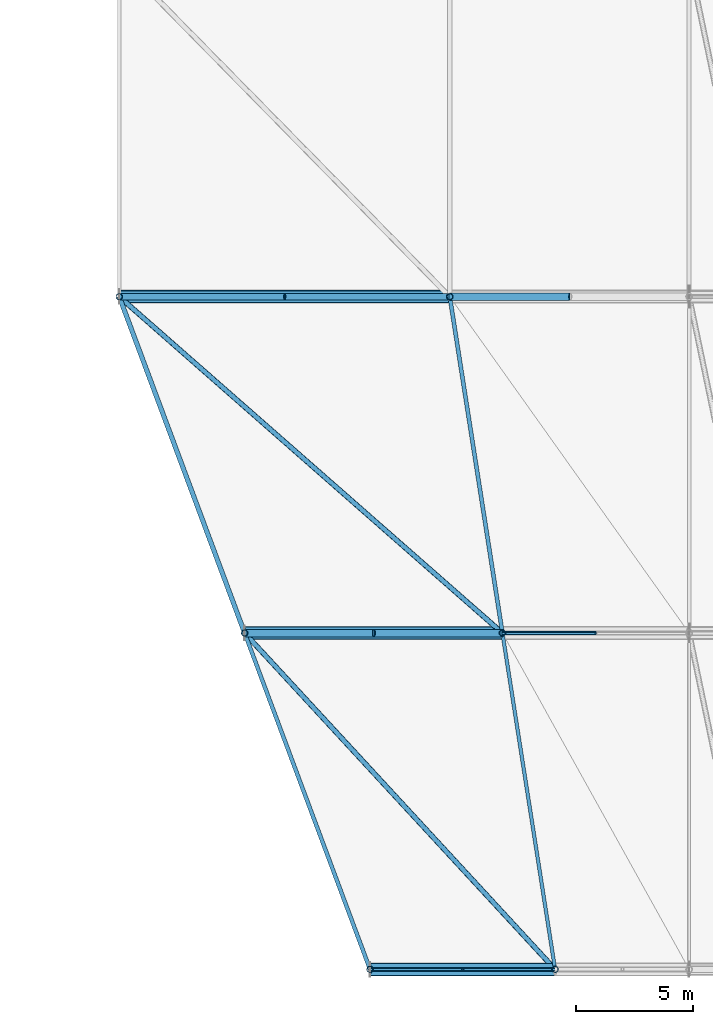
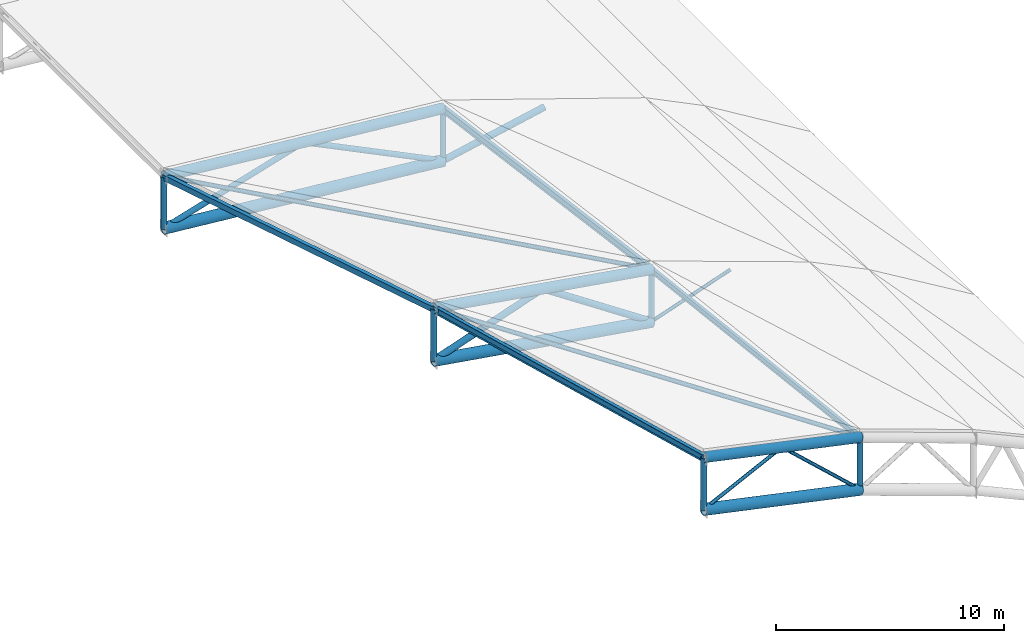
# One storey, part 15 of 36: 26 members.
"""IFC4 building model written with IfcOpenShell, lengths in metres."""

from ifc_helpers import new_model, si_unit, direction, frame, origin, origin_2d, place, context, subcontext, project, spatial, hollow_rectangle, hollow_circle, i_section, extrude, material, material_profile, profile_set, type_object, element, save


model = new_model("IFC4")

# Units and contexts
model_context = context("Model", 3, precision=1e-05, world=origin(), true_north=direction((0.0, 1.0)))
body_context = subcontext(model_context, "Body", "Model", "MODEL_VIEW")
ifc_project = project(units=[si_unit("LENGTHUNIT", "METRE"), si_unit("AREAUNIT", "SQUARE_METRE"), si_unit("VOLUMEUNIT", "CUBIC_METRE"), si_unit("PLANEANGLEUNIT", "RADIAN"), si_unit("MASSUNIT", "GRAM", prefix="KILO")], contexts=[model_context])

# Site, building, storey
site_placement = place(None, origin())
site = spatial("IfcSite", under=ifc_project, at=site_placement, CompositionType="ELEMENT")
building_placement = place(site_placement, origin())
building = spatial("IfcBuilding", under=site, at=building_placement, Name="Koshinbarg Plaza Stadium", CompositionType="ELEMENT")
storey_placement = place(building_placement, frame((0.0, 0.0, 34.199951171875)))
storey = spatial("IfcBuildingStorey", under=building, at=storey_placement, Name="RF", CompositionType="ELEMENT", Elevation=34.199951171875)

# Members
ifc_material = material(Name="Steel S355", Category="steel")
ifc_material_profile_1 = material_profile(ifc_material, hollow_circle(Radius=0.279541015625, WallThickness=0.022216796875, at=origin_2d()), Name="CHS 559x22.2")
ifc_profile_set_1 = profile_set([ifc_material_profile_1], Name="Steel S355")
member_type_1 = type_object("IfcMemberType", Name="MB-ARCH-BOT", PredefinedType="CHORD", material=ifc_profile_set_1)
member_1_placement = place(storey_placement, frame((183.6611328125, 25.5, 1.691650390625), z_axis=(-0.977875975402, 0.0, 0.209185507939), x_axis=(0.0, -1.0, 0.0)))
element("IfcMember", 1, at=member_1_placement, inside=storey, type_object=member_type_1, Name="Quarter-barrel roof truss bottom chord ERB-01-4", PredefinedType="CHORD", context=body_context, shape_type="SweptSolid", body=[
    extrude(hollow_circle(Radius=0.279541015625, WallThickness=0.022216796875, at=origin_2d()), origin(), (0.0, 0.0, 1.0), 8.104248046875),
])
member_2_placement = place(storey_placement, frame((181.406494140625, 39.89990234375, 2.7421875), z_axis=(-0.987287695583, 0.0, 0.158943405497), x_axis=(0.0, -1.0, 0.0)))
element("IfcMember", 2, at=member_2_placement, inside=storey, type_object=member_type_1, Name="Quarter-barrel roof truss bottom chord ERB-02-4", PredefinedType="CHORD", context=body_context, shape_type="SweptSolid", body=[
    extrude(hollow_circle(Radius=0.279541015625, WallThickness=0.022216796875, at=origin_2d()), origin(), (0.0, 0.0, 1.0), 11.1806640625),
])
member_3_placement = place(storey_placement, frame((179.152099609375, 54.300048828125, 3.4208984375), z_axis=(-0.995642851387, 0.0, 0.093248659413), x_axis=(0.0, -1.0, 0.0)))
element("IfcMember", 3, at=member_3_placement, inside=storey, type_object=member_type_1, Name="Quarter-barrel roof truss bottom chord ERB-03-4", PredefinedType="CHORD", context=body_context, shape_type="SweptSolid", body=[
    extrude(hollow_circle(Radius=0.279541015625, WallThickness=0.022216796875, at=origin_2d()), origin(), (0.0, 0.0, 1.0), 14.214111328125),
])
ifc_material_profile_2 = material_profile(ifc_material, hollow_circle(Radius=0.25390625, WallThickness=0.02001953125, at=origin_2d()), Name="CHS 508x20")
ifc_profile_set_2 = profile_set([ifc_material_profile_2], Name="Steel S355")
member_type_2 = type_object("IfcMemberType", Name="MB-ARCH-TOP", PredefinedType="CHORD", material=ifc_profile_set_2)
member_4_placement = place(storey_placement, frame((183.6611328125, 25.5, 4.49169921875), z_axis=(-0.977875975402, 0.0, 0.209185507939), x_axis=(0.0, -1.0, 0.0)))
element("IfcMember", 4, at=member_4_placement, inside=storey, type_object=member_type_2, Name="Quarter-barrel roof truss top chord ERB-01-4", PredefinedType="CHORD", context=body_context, shape_type="SweptSolid", body=[
    extrude(hollow_circle(Radius=0.25390625, WallThickness=0.02001953125, at=origin_2d()), origin(), (0.0, 0.0, 1.0), 8.104248046875),
])
member_5_placement = place(storey_placement, frame((181.406494140625, 39.89990234375, 5.542236328125), z_axis=(-0.987287695583, 0.0, 0.158943405497), x_axis=(0.0, -1.0, 0.0)))
element("IfcMember", 5, at=member_5_placement, inside=storey, type_object=member_type_2, Name="Quarter-barrel roof truss top chord ERB-02-4", PredefinedType="CHORD", context=body_context, shape_type="SweptSolid", body=[
    extrude(hollow_circle(Radius=0.25390625, WallThickness=0.02001953125, at=origin_2d()), origin(), (0.0, 0.0, 1.0), 11.1806640625),
])
member_6_placement = place(storey_placement, frame((179.152099609375, 54.300048828125, 6.220947265625), z_axis=(-0.995642851387, 0.0, 0.093248659413), x_axis=(0.0, -1.0, 0.0)))
element("IfcMember", 6, at=member_6_placement, inside=storey, type_object=member_type_2, Name="Quarter-barrel roof truss top chord ERB-03-4", PredefinedType="CHORD", context=body_context, shape_type="SweptSolid", body=[
    extrude(hollow_circle(Radius=0.25390625, WallThickness=0.02001953125, at=origin_2d()), origin(), (0.0, 0.0, 1.0), 14.214111328125),
])
ifc_material_profile_3 = material_profile(ifc_material, hollow_circle(Radius=0.161865234375, WallThickness=0.01416015625, at=origin_2d()), Name="CHS 323.9x14.2")
ifc_profile_set_3 = profile_set([ifc_material_profile_3], Name="Steel S355")
member_type_3 = type_object("IfcMemberType", Name="MB-BRACE-01", PredefinedType="BRACE", material=ifc_profile_set_3)
member_7_placement = place(storey_placement, frame((181.406494140625, 39.89990234375, 2.7421875), z_axis=(-0.831427383293, 0.0, 0.555633428), x_axis=(0.0, -1.0, 0.0)))
element("IfcMember", 7, at=member_7_placement, inside=storey, type_object=member_type_3, Name="Quarter-barrel roof truss web diagonal ERB-02-4A", PredefinedType="BRACE", context=body_context, shape_type="SweptSolid", body=[
    extrude(hollow_circle(Radius=0.161865234375, WallThickness=0.01416015625, at=origin_2d()), origin(), (0.0, 0.0, 1.0), 6.638427734375),
])
member_8_placement = place(storey_placement, frame((175.88720703125, 39.89990234375, 6.4306640625), z_axis=(-0.944940842416, 0.0, -0.327241202073), x_axis=(0.0, -1.0, 0.0)))
element("IfcMember", 8, at=member_8_placement, inside=storey, type_object=member_type_3, Name="Quarter-barrel roof truss web diagonal ERB-02-4B", PredefinedType="BRACE", context=body_context, shape_type="SweptSolid", body=[
    extrude(hollow_circle(Radius=0.161865234375, WallThickness=0.01416015625, at=origin_2d()), origin(), (0.0, 0.0, 1.0), 5.8408203125),
])
member_9_placement = place(storey_placement, frame((184.27587890625, 54.300048828125, 4.490478515625), z_axis=(-0.978899240734, 0.0, -0.20434352569), x_axis=(0.0, -1.0, 0.0)))
element("IfcMember", 9, at=member_9_placement, inside=storey, type_object=member_type_3, Name="Quarter-barrel roof truss web diagonal ERB-03-3B", PredefinedType="BRACE", context=body_context, shape_type="SweptSolid", body=[
    extrude(hollow_circle(Radius=0.161865234375, WallThickness=0.01416015625, at=origin_2d()), origin(), (0.0, 0.0, 1.0), 5.234130859375),
])
ifc_material_profile_4 = material_profile(ifc_material, hollow_circle(Radius=0.136474609375, WallThickness=0.012451171875, at=origin_2d()), Name="CHS 273x12.5")
ifc_profile_set_4 = profile_set([ifc_material_profile_4], Name="Steel S355")
member_type_4 = type_object("IfcMemberType", Name="MB-BRACE-02", PredefinedType="BRACE", material=ifc_profile_set_4)
for number, where, z_axis, x_axis, name in (
    (10, (183.6611328125, 25.5, 1.691650390625), (0.0, 0.0, 1.0), (1.0, 0.0, 0.0), "Quarter-barrel roof truss post ERB-01-4"),
    (11, (175.736083984375, 25.5, 3.386962890625), (0.0, 0.0, 1.0), (1.0, 0.0, 0.0), "Quarter-barrel roof truss post ERB-01-5"),
    (12, (181.406494140625, 39.89990234375, 2.7421875), (0.0, 0.0, 1.0), (1.0, 0.0, 0.0), "Quarter-barrel roof truss post ERB-02-4"),
    (13, (170.367919921875, 39.89990234375, 4.519287109375), (0.0, 0.0, 1.0), (1.0, 0.0, 0.0), "Quarter-barrel roof truss post ERB-02-5"),
):
    element("IfcMember", number, at=place(storey_placement, frame(where, z_axis=z_axis, x_axis=x_axis)), inside=storey, type_object=member_type_4, Name=name, PredefinedType="BRACE", context=body_context, shape_type="SweptSolid", body=[
        extrude(hollow_circle(Radius=0.136474609375, WallThickness=0.012451171875, at=origin_2d()), origin(), (0.0, 0.0, 1.0), 2.800048828125),
    ])
member_10_placement = place(storey_placement, frame((179.152099609375, 54.300048828125, 3.4208984375), z_axis=(-0.898224792069, 0.0, 0.439536372685), x_axis=(0.0, -1.0, 0.0)))
element("IfcMember", 14, at=member_10_placement, inside=storey, type_object=member_type_4, Name="Quarter-barrel roof truss web diagonal ERB-03-4A", PredefinedType="BRACE", context=body_context, shape_type="SweptSolid", body=[
    extrude(hollow_circle(Radius=0.136474609375, WallThickness=0.012451171875, at=origin_2d()), origin(), (0.0, 0.0, 1.0), 7.8779296875),
])
member_11_placement = place(storey_placement, frame((172.075927734375, 54.300048828125, 6.883544921875), z_axis=(-0.957287355099, 0.0, -0.289138236433), x_axis=(0.0, -1.0, 0.0)))
element("IfcMember", 15, at=member_11_placement, inside=storey, type_object=member_type_4, Name="Quarter-barrel roof truss web diagonal ERB-03-4B", PredefinedType="BRACE", context=body_context, shape_type="SweptSolid", body=[
    extrude(hollow_circle(Radius=0.136474609375, WallThickness=0.012451171875, at=origin_2d()), origin(), (0.0, 0.0, 1.0), 7.3916015625),
])
for number, where, z_axis, x_axis, name in (
    (16, (179.152099609375, 54.300048828125, 3.4208984375), (0.0, 0.0, 1.0), (1.0, 0.0, 0.0), "Quarter-barrel roof truss post ERB-03-4"),
    (17, (165.0, 54.300048828125, 4.746337890625), (0.0, 0.0, 1.0), (1.0, 0.0, 0.0), "Quarter-barrel roof truss post ERB-03-5"),
):
    element("IfcMember", number, at=place(storey_placement, frame(where, z_axis=z_axis, x_axis=x_axis)), inside=storey, type_object=member_type_4, Name=name, PredefinedType="BRACE", context=body_context, shape_type="SweptSolid", body=[
        extrude(hollow_circle(Radius=0.136474609375, WallThickness=0.012451171875, at=origin_2d()), origin(), (0.0, 0.0, 1.0), 2.800048828125),
    ])
ifc_material_profile_5 = material_profile(ifc_material, hollow_circle(Radius=0.109619140625, WallThickness=0.010009765625, at=origin_2d()), Name="CHS 219.1x10")
ifc_profile_set_5 = profile_set([ifc_material_profile_5], Name="Steel S355")
member_type_5 = type_object("IfcMemberType", Name="MB-BRACE-03", PredefinedType="BRACE", material=ifc_profile_set_5)
member_12_placement = place(storey_placement, frame((183.6611328125, 25.5, 4.49169921875), z_axis=(-0.671355358149, 0.727247180561, 0.142805887309), x_axis=(-0.734778130773, -0.678307525049, 0.0)))
element("IfcMember", 18, at=member_12_placement, inside=storey, type_object=member_type_5, Name="Roof plan wind brace east bay 1.4", PredefinedType="BRACE", context=body_context, shape_type="SweptSolid", body=[
    extrude(hollow_circle(Radius=0.109619140625, WallThickness=0.010009765625, at=origin_2d()), origin(), (0.0, 0.0, 1.0), 19.800537109375),
])
member_13_placement = place(storey_placement, frame((181.406494140625, 39.89990234375, 5.542236328125), z_axis=(-0.748418889634, 0.65689485822, 0.091423798232), x_axis=(-0.659657454031, -0.751566393169, 0.0)))
element("IfcMember", 19, at=member_13_placement, inside=storey, type_object=member_type_5, Name="Roof plan wind brace east bay 2.4", PredefinedType="BRACE", context=body_context, shape_type="SweptSolid", body=[
    extrude(hollow_circle(Radius=0.109619140625, WallThickness=0.010009765625, at=origin_2d()), origin(), (0.0, 0.0, 1.0), 21.921630859375),
])
ifc_material_profile_6 = material_profile(ifc_material, hollow_circle(Radius=0.084228515625, WallThickness=0.008056640625, at=origin_2d()), Name="CHS 168.3x8")
ifc_profile_set_6 = profile_set([ifc_material_profile_6], Name="Steel S355")
member_type_6 = type_object("IfcMemberType", Name="MB-BRACE-04", PredefinedType="BRACE", material=ifc_profile_set_6)
member_14_placement = place(storey_placement, frame((183.6611328125, 25.5, 1.691650390625), z_axis=(-0.735739452383, 0.0, 0.677264688439), x_axis=(0.0, -1.0, 0.0)))
element("IfcMember", 20, at=member_14_placement, inside=storey, type_object=member_type_6, Name="Quarter-barrel roof truss web diagonal ERB-01-4A", PredefinedType="BRACE", context=body_context, shape_type="SweptSolid", body=[
    extrude(hollow_circle(Radius=0.084228515625, WallThickness=0.008056640625, at=origin_2d()), origin(), (0.0, 0.0, 1.0), 5.385986328125),
])
member_15_placement = place(storey_placement, frame((179.698486328125, 25.5, 5.33935546875), z_axis=(-0.897020684397, 0.0, -0.441988565196), x_axis=(0.0, -1.0, 0.0)))
element("IfcMember", 21, at=member_15_placement, inside=storey, type_object=member_type_6, Name="Quarter-barrel roof truss web diagonal ERB-01-4B", PredefinedType="BRACE", context=body_context, shape_type="SweptSolid", body=[
    extrude(hollow_circle(Radius=0.084228515625, WallThickness=0.008056640625, at=origin_2d()), origin(), (0.0, 0.0, 1.0), 4.417236328125),
])
member_16_placement = place(storey_placement, frame((185.4033203125, 39.89990234375, 4.11962890625), z_axis=(-0.945429428908, 0.0, -0.325826940193), x_axis=(0.0, -1.0, 0.0)))
element("IfcMember", 22, at=member_16_placement, inside=storey, type_object=member_type_6, Name="Quarter-barrel roof truss web diagonal ERB-02-3B", PredefinedType="BRACE", context=body_context, shape_type="SweptSolid", body=[
    extrude(hollow_circle(Radius=0.084228515625, WallThickness=0.008056640625, at=origin_2d()), origin(), (0.0, 0.0, 1.0), 4.2275390625),
])
ifc_material_profile_7 = material_profile(ifc_material, hollow_rectangle(XDim=0.199951171875, YDim=0.300048828125, WallThickness=0.012451171875, at=origin_2d()), Name="RHS 300x200x12.5")
ifc_profile_set_7 = profile_set([ifc_material_profile_7], Name="Steel S355")
member_type_7 = type_object("IfcMemberType", Name="MB-PURL-01", PredefinedType="PURLIN", material=ifc_profile_set_7)
member_17_placement = place(storey_placement, frame((170.367919921875, 39.89990234375, 7.29931640625), z_axis=(-0.349251431951, 0.936912594295, 0.014772539761), x_axis=(-0.937014841279, -0.349289546398, 0.0)))
element("IfcMember", 23, at=member_17_placement, inside=storey, type_object=member_type_7, Name="Roof longitudinal purlin east bay 2.5", PredefinedType="PURLIN", context=body_context, shape_type="SweptSolid", body=[
    extrude(hollow_rectangle(XDim=0.199951171875, YDim=0.300048828125, WallThickness=0.012451171875, at=origin_2d()), origin(), (0.0, 0.0, 1.0), 15.369873046875),
])
ifc_material_profile_8 = material_profile(ifc_material, i_section(OverallWidth=0.14990234375, OverallDepth=0.300048828125, WebThickness=0.007080078125, FlangeThickness=0.0107421875, at=origin_2d()), Name="IPE 300")
ifc_profile_set_8 = profile_set([ifc_material_profile_8], Name="Steel S355")
member_type_8 = type_object("IfcMemberType", Name="MB-PURL-04", PredefinedType="PURLIN", material=ifc_profile_set_8)
member_18_placement = place(storey_placement, frame((183.6611328125, 25.5, 4.4716796875), z_axis=(-0.154288320031, 0.985407005097, 0.07188983661), x_axis=(-0.987963282713, -0.154688564577, 0.0)))
element("IfcMember", 24, at=member_18_placement, inside=storey, type_object=member_type_8, Name="Roof longitudinal purlin east bay 1.4", PredefinedType="PURLIN", context=body_context, shape_type="SweptSolid", body=[
    extrude(i_section(OverallWidth=0.14990234375, OverallDepth=0.300048828125, WebThickness=0.007080078125, FlangeThickness=0.0107421875, at=origin_2d()), origin(), (0.0, 0.0, 1.0), 14.613037109375),
])
ifc_material_profile_9 = material_profile(ifc_material, i_section(OverallWidth=0.169921875, OverallDepth=0.360107421875, WebThickness=0.008056640625, FlangeThickness=0.0126953125, at=origin_2d()), Name="IPE 360")
ifc_profile_set_9 = profile_set([ifc_material_profile_9], Name="Steel S355")
member_type_9 = type_object("IfcMemberType", Name="MB-PURL-05", PredefinedType="PURLIN", material=ifc_profile_set_9)
member_19_placement = place(storey_placement, frame((175.736083984375, 25.5, 6.1669921875), z_axis=(-0.348364362763, 0.934474569969, 0.073481622453), x_axis=(-0.93700770347, -0.349308693905, 0.0)))
element("IfcMember", 25, at=member_19_placement, inside=storey, type_object=member_type_9, Name="Roof longitudinal purlin east bay 1.5", PredefinedType="PURLIN", context=body_context, shape_type="SweptSolid", body=[
    extrude(i_section(OverallWidth=0.169921875, OverallDepth=0.360107421875, WebThickness=0.008056640625, FlangeThickness=0.0126953125, at=origin_2d()), origin(), (0.0, 0.0, 1.0), 15.40966796875),
])
member_20_placement = place(storey_placement, frame((181.406494140625, 39.89990234375, 5.522216796875), z_axis=(-0.154502242305, 0.986896876531, 0.046514645182), x_axis=(-0.987966243184, -0.154669655487, 0.0)))
element("IfcMember", 26, at=member_20_placement, inside=storey, type_object=member_type_9, Name="Roof longitudinal purlin east bay 2.4", PredefinedType="PURLIN", context=body_context, shape_type="SweptSolid", body=[
    extrude(i_section(OverallWidth=0.169921875, OverallDepth=0.360107421875, WebThickness=0.008056640625, FlangeThickness=0.0126953125, at=origin_2d()), origin(), (0.0, 0.0, 1.0), 14.59130859375),
])

save(model, "model.ifc")
